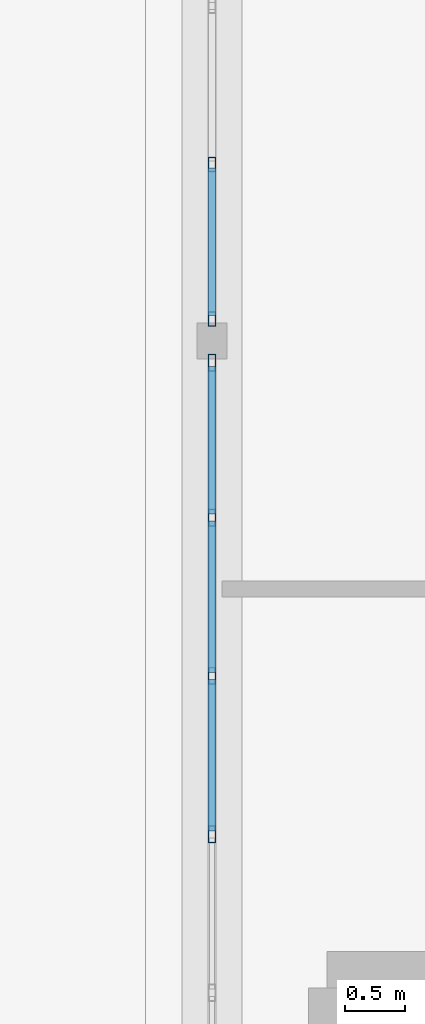
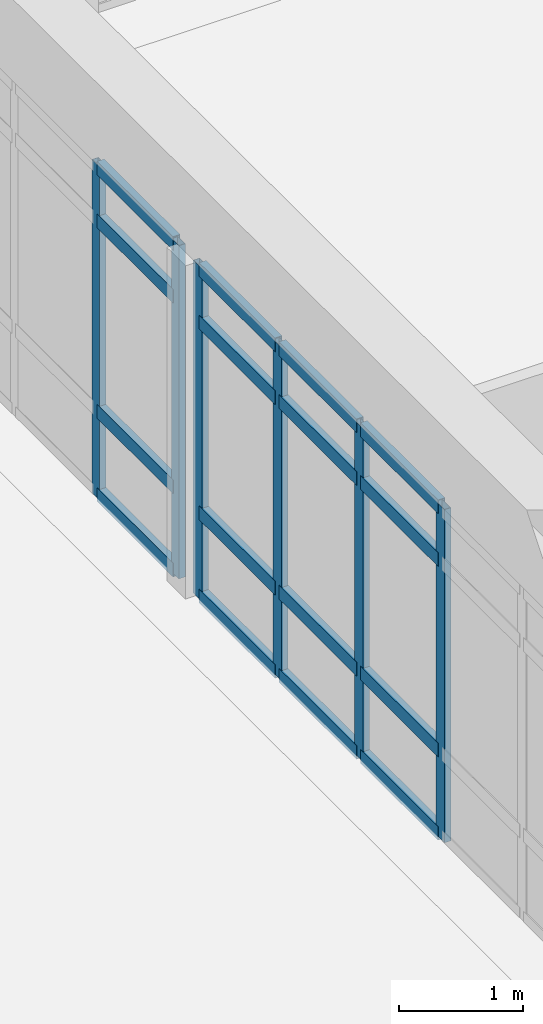
# One storey, part 41 of 109: 22 members, 2 elements without a shape of their own.
"""IFC4 building model written with IfcOpenShell, lengths in metres."""

from ifc_helpers import new_model, si_unit, direction, frame, origin, origin_2d, place, context, subcontext, project, spatial, hollow_rectangle, extrude, material, layer, layer_set, material_profile, profile_set, type_object, element, aggregate, save


model = new_model("IFC4")

# Units and contexts
model_context = context("Model", 3, precision=1e-05, world=origin(), true_north=direction((0.0, 1.0)))
body_context = subcontext(model_context, "Body", "Model", "MODEL_VIEW")
ifc_project = project(units=[si_unit("LENGTHUNIT", "METRE"), si_unit("AREAUNIT", "SQUARE_METRE"), si_unit("VOLUMEUNIT", "CUBIC_METRE"), si_unit("PLANEANGLEUNIT", "RADIAN"), si_unit("MASSUNIT", "GRAM", prefix="KILO")], contexts=[model_context])

# Site, building, storey
site_placement = place(None, origin())
site = spatial("IfcSite", under=ifc_project, at=site_placement, CompositionType="ELEMENT")
building_placement = place(site_placement, origin())
building = spatial("IfcBuilding", under=site, at=building_placement, Name="Fikremerkos Civic Library", CompositionType="ELEMENT")
storey_placement = place(building_placement, frame((0.0, 0.0, 5.39990234375)))
storey = spatial("IfcBuildingStorey", under=building, at=storey_placement, Name="L01", CompositionType="ELEMENT", Elevation=5.39990234375)

# Curtain wall, members
ifc_material = material(Name="Anodized aluminium Frame", Category="aluminium")
ifc_layer_1 = layer(ifc_material, 0.159912109375, Name="Anodized aluminium Frame")
ifc_layer_set_1 = layer_set([ifc_layer_1], Name="Anodized aluminium Frame")
curtain_wall_type_1 = type_object("IfcCurtainWallType", Name="Unitised curtain wall CW-03 4100x3600", PredefinedType="USERDEFINED", material=ifc_layer_set_1)
curtain_wall_1_placement = place(storey_placement, origin())
curtain_wall_1 = element("IfcCurtainWall", 1, at=curtain_wall_1_placement, inside=storey, type_object=curtain_wall_type_1, Name="Unitised curtain wall CW-03 L01 #129", ObjectType="UNITISED CURTAIN WALL", PredefinedType="USERDEFINED")
ifc_material_profile_1 = material_profile(ifc_material, hollow_rectangle(XDim=0.06005859375, YDim=0.139892578125, WallThickness=0.00390625, at=origin_2d()), Name="ALU 140x60x4")
ifc_profile_set_1 = profile_set([ifc_material_profile_1], Name="Anodized aluminium Frame")
member_type_1 = type_object("IfcMemberType", Name="Curtain mullion CWM-03 ALU 140x60x4", PredefinedType="MULLION", material=ifc_profile_set_1)
member_1_placement = place(storey_placement, frame((73.199951171875, 106.169921875, 0.0), z_axis=(0.0, 0.0, 1.0), x_axis=(-1.0, 0.0, 0.0)))
member_1 = element("IfcMember", 2, at=member_1_placement, type_object=member_type_1, Name="CW-03 mullion 3", PredefinedType="MULLION", context=body_context, shape_type="SweptSolid", body=[
    extrude(hollow_rectangle(XDim=0.06005859375, YDim=0.139892578125, WallThickness=0.00390625, at=origin_2d()), origin(), (0.0, 0.0, 1.0), 3.27001953125),
])
member_2_placement = place(storey_placement, frame((73.199951171875, 107.480224609375, 0.0), z_axis=(0.0, 0.0, 1.0), x_axis=(-1.0, 0.0, 0.0)))
member_2 = element("IfcMember", 3, at=member_2_placement, type_object=member_type_1, Name="CW-03 mullion 4", PredefinedType="MULLION", context=body_context, shape_type="SweptSolid", body=[
    extrude(hollow_rectangle(XDim=0.06005859375, YDim=0.139892578125, WallThickness=0.00390625, at=origin_2d()), origin(), (0.0, 0.0, 1.0), 3.27001953125),
])
member_3_placement = place(storey_placement, frame((73.199951171875, 108.790283203125, 0.0), z_axis=(0.0, 0.0, 1.0), x_axis=(-1.0, 0.0, 0.0)))
member_3 = element("IfcMember", 4, at=member_3_placement, type_object=member_type_1, Name="CW-03 mullion 5", PredefinedType="MULLION", context=body_context, shape_type="SweptSolid", body=[
    extrude(hollow_rectangle(XDim=0.06005859375, YDim=0.139892578125, WallThickness=0.00390625, at=origin_2d()), origin(), (0.0, 0.0, 1.0), 3.27001953125),
])
member_4_placement = place(storey_placement, frame((73.199951171875, 110.070556640625, 0.0), z_axis=(0.0, 0.0, 1.0), x_axis=(-1.0, 0.0, 0.0)))
member_4 = element("IfcMember", 5, at=member_4_placement, type_object=member_type_1, Name="CW-03 mullion 6", PredefinedType="MULLION", context=body_context, shape_type="SweptSolid", body=[
    extrude(hollow_rectangle(XDim=0.06005859375, YDim=0.139892578125, WallThickness=0.00390625, at=origin_2d()), origin(), (0.0, 0.0, 1.0), 3.27001953125),
])

ifc_layer_2 = layer(ifc_material, 0.159912109375, Name="Anodized aluminium Frame")
ifc_layer_set_2 = layer_set([ifc_layer_2], Name="Anodized aluminium Frame")
curtain_wall_type_2 = type_object("IfcCurtainWallType", Name="Unitised curtain wall CW-04 3400x3600", PredefinedType="USERDEFINED", material=ifc_layer_set_2)
curtain_wall_2_placement = place(storey_placement, origin())
curtain_wall_2 = element("IfcCurtainWall", 6, at=curtain_wall_2_placement, inside=storey, type_object=curtain_wall_type_2, Name="Unitised curtain wall CW-04 L01 #130", ObjectType="UNITISED CURTAIN WALL", PredefinedType="USERDEFINED")
ifc_material_profile_2 = material_profile(ifc_material, hollow_rectangle(XDim=0.06005859375, YDim=0.1201171875, WallThickness=0.00390625, at=origin_2d()), Name="ALU 120x60x4")
ifc_profile_set_2 = profile_set([ifc_material_profile_2], Name="Anodized aluminium Frame")
member_type_2 = type_object("IfcMemberType", Name="Curtain mullion CWM-04 ALU 120x60x4", PredefinedType="MULLION", material=ifc_profile_set_2)
member_5_placement = place(storey_placement, frame((73.199951171875, 110.4306640625, 0.0), z_axis=(0.0, 0.0, 1.0), x_axis=(-1.0, 0.0, 0.0)))
member_5 = element("IfcMember", 7, at=member_5_placement, type_object=member_type_2, Name="CW-04 mullion 1", PredefinedType="MULLION", context=body_context, shape_type="SweptSolid", body=[
    extrude(hollow_rectangle(XDim=0.06005859375, YDim=0.1201171875, WallThickness=0.00390625, at=origin_2d()), origin(), (0.0, 0.0, 1.0), 3.27001953125),
])
member_6_placement = place(storey_placement, frame((73.199951171875, 111.7109375, 0.0), z_axis=(0.0, 0.0, 1.0), x_axis=(-1.0, 0.0, 0.0)))
member_6 = element("IfcMember", 8, at=member_6_placement, type_object=member_type_2, Name="CW-04 mullion 2", PredefinedType="MULLION", context=body_context, shape_type="SweptSolid", body=[
    extrude(hollow_rectangle(XDim=0.06005859375, YDim=0.1201171875, WallThickness=0.00390625, at=origin_2d()), origin(), (0.0, 0.0, 1.0), 3.27001953125),
])

# Member
ifc_material_profile_3 = material_profile(ifc_material, hollow_rectangle(XDim=0.06494140625, YDim=0.135009765625, WallThickness=0.00439453125, at=origin_2d()), Name="ALU 135x65x4.5")
ifc_profile_set_3 = profile_set([ifc_material_profile_3], Name="Anodized aluminium Frame")
member_type_3 = type_object("IfcMemberType", Name="Curtain transom CWT-02 ALU 135x65x4.5", PredefinedType="USERDEFINED", material=ifc_profile_set_3)
member_7_placement = place(storey_placement, frame((73.199951171875, 106.199951171875, 0.03271484375), z_axis=(0.0, 1.0, 0.0), x_axis=(-1.0, 0.0, 0.0)))
member_7 = element("IfcMember", 9, at=member_7_placement, type_object=member_type_3, Name="CW-03 transom 3.1", ObjectType="TRANSOM", PredefinedType="USERDEFINED", context=body_context, shape_type="SweptSolid", body=[
    extrude(hollow_rectangle(XDim=0.06494140625, YDim=0.135009765625, WallThickness=0.00439453125, at=origin_2d()), origin(), (0.0, 0.0, 1.0), 1.250244140625),
])

member_8_placement = place(storey_placement, frame((73.199951171875, 106.199951171875, 0.85009765625), z_axis=(0.0, 1.0, 0.0), x_axis=(-1.0, 0.0, 0.0)))
member_8 = element("IfcMember", 10, at=member_8_placement, type_object=member_type_3, Name="CW-03 transom 3.2", ObjectType="TRANSOM", PredefinedType="USERDEFINED", context=body_context, shape_type="SweptSolid", body=[
    extrude(hollow_rectangle(XDim=0.06494140625, YDim=0.135009765625, WallThickness=0.00439453125, at=origin_2d()), origin(), (0.0, 0.0, 1.0), 1.250244140625),
])

member_9_placement = place(storey_placement, frame((73.199951171875, 106.199951171875, 2.72021484375), z_axis=(0.0, 1.0, 0.0), x_axis=(-1.0, 0.0, 0.0)))
member_9 = element("IfcMember", 11, at=member_9_placement, type_object=member_type_3, Name="CW-03 transom 3.3", ObjectType="TRANSOM", PredefinedType="USERDEFINED", context=body_context, shape_type="SweptSolid", body=[
    extrude(hollow_rectangle(XDim=0.06494140625, YDim=0.135009765625, WallThickness=0.00439453125, at=origin_2d()), origin(), (0.0, 0.0, 1.0), 1.250244140625),
])

member_10_placement = place(storey_placement, frame((73.199951171875, 106.199951171875, 3.237548828125), z_axis=(0.0, 1.0, 0.0), x_axis=(-1.0, 0.0, 0.0)))
member_10 = element("IfcMember", 12, at=member_10_placement, type_object=member_type_3, Name="CW-03 transom 3.4", ObjectType="TRANSOM", PredefinedType="USERDEFINED", context=body_context, shape_type="SweptSolid", body=[
    extrude(hollow_rectangle(XDim=0.06494140625, YDim=0.135009765625, WallThickness=0.00439453125, at=origin_2d()), origin(), (0.0, 0.0, 1.0), 1.250244140625),
])

member_11_placement = place(storey_placement, frame((73.199951171875, 107.51025390625, 0.03271484375), z_axis=(0.0, 1.0, 0.0), x_axis=(-1.0, 0.0, 0.0)))
member_11 = element("IfcMember", 13, at=member_11_placement, type_object=member_type_3, Name="CW-03 transom 4.1", ObjectType="TRANSOM", PredefinedType="USERDEFINED", context=body_context, shape_type="SweptSolid", body=[
    extrude(hollow_rectangle(XDim=0.06494140625, YDim=0.135009765625, WallThickness=0.00439453125, at=origin_2d()), origin(), (0.0, 0.0, 1.0), 1.250244140625),
])

member_12_placement = place(storey_placement, frame((73.199951171875, 107.51025390625, 0.85009765625), z_axis=(0.0, 1.0, 0.0), x_axis=(-1.0, 0.0, 0.0)))
member_12 = element("IfcMember", 14, at=member_12_placement, type_object=member_type_3, Name="CW-03 transom 4.2", ObjectType="TRANSOM", PredefinedType="USERDEFINED", context=body_context, shape_type="SweptSolid", body=[
    extrude(hollow_rectangle(XDim=0.06494140625, YDim=0.135009765625, WallThickness=0.00439453125, at=origin_2d()), origin(), (0.0, 0.0, 1.0), 1.250244140625),
])

member_13_placement = place(storey_placement, frame((73.199951171875, 107.51025390625, 2.72021484375), z_axis=(0.0, 1.0, 0.0), x_axis=(-1.0, 0.0, 0.0)))
member_13 = element("IfcMember", 15, at=member_13_placement, type_object=member_type_3, Name="CW-03 transom 4.3", ObjectType="TRANSOM", PredefinedType="USERDEFINED", context=body_context, shape_type="SweptSolid", body=[
    extrude(hollow_rectangle(XDim=0.06494140625, YDim=0.135009765625, WallThickness=0.00439453125, at=origin_2d()), origin(), (0.0, 0.0, 1.0), 1.250244140625),
])

member_14_placement = place(storey_placement, frame((73.199951171875, 107.51025390625, 3.237548828125), z_axis=(0.0, 1.0, 0.0), x_axis=(-1.0, 0.0, 0.0)))
member_14 = element("IfcMember", 16, at=member_14_placement, type_object=member_type_3, Name="CW-03 transom 4.4", ObjectType="TRANSOM", PredefinedType="USERDEFINED", context=body_context, shape_type="SweptSolid", body=[
    extrude(hollow_rectangle(XDim=0.06494140625, YDim=0.135009765625, WallThickness=0.00439453125, at=origin_2d()), origin(), (0.0, 0.0, 1.0), 1.250244140625),
])

member_15_placement = place(storey_placement, frame((73.199951171875, 108.8203125, 0.03271484375), z_axis=(0.0, 1.0, 0.0), x_axis=(-1.0, 0.0, 0.0)))
member_15 = element("IfcMember", 17, at=member_15_placement, type_object=member_type_3, Name="CW-03 transom 5.1", ObjectType="TRANSOM", PredefinedType="USERDEFINED", context=body_context, shape_type="SweptSolid", body=[
    extrude(hollow_rectangle(XDim=0.06494140625, YDim=0.135009765625, WallThickness=0.00439453125, at=origin_2d()), origin(), (0.0, 0.0, 1.0), 1.220458984375),
])

member_16_placement = place(storey_placement, frame((73.199951171875, 108.8203125, 0.85009765625), z_axis=(0.0, 1.0, 0.0), x_axis=(-1.0, 0.0, 0.0)))
member_16 = element("IfcMember", 18, at=member_16_placement, type_object=member_type_3, Name="CW-03 transom 5.2", ObjectType="TRANSOM", PredefinedType="USERDEFINED", context=body_context, shape_type="SweptSolid", body=[
    extrude(hollow_rectangle(XDim=0.06494140625, YDim=0.135009765625, WallThickness=0.00439453125, at=origin_2d()), origin(), (0.0, 0.0, 1.0), 1.220458984375),
])

member_17_placement = place(storey_placement, frame((73.199951171875, 108.8203125, 2.72021484375), z_axis=(0.0, 1.0, 0.0), x_axis=(-1.0, 0.0, 0.0)))
member_17 = element("IfcMember", 19, at=member_17_placement, type_object=member_type_3, Name="CW-03 transom 5.3", ObjectType="TRANSOM", PredefinedType="USERDEFINED", context=body_context, shape_type="SweptSolid", body=[
    extrude(hollow_rectangle(XDim=0.06494140625, YDim=0.135009765625, WallThickness=0.00439453125, at=origin_2d()), origin(), (0.0, 0.0, 1.0), 1.220458984375),
])

member_18_placement = place(storey_placement, frame((73.199951171875, 108.8203125, 3.237548828125), z_axis=(0.0, 1.0, 0.0), x_axis=(-1.0, 0.0, 0.0)))
member_18 = element("IfcMember", 20, at=member_18_placement, type_object=member_type_3, Name="CW-03 transom 5.4", ObjectType="TRANSOM", PredefinedType="USERDEFINED", context=body_context, shape_type="SweptSolid", body=[
    extrude(hollow_rectangle(XDim=0.06494140625, YDim=0.135009765625, WallThickness=0.00439453125, at=origin_2d()), origin(), (0.0, 0.0, 1.0), 1.220458984375),
])

aggregate(curtain_wall_1, [member_1, member_2, member_3, member_4, member_7, member_8, member_9, member_10, member_11, member_12, member_13, member_14, member_15, member_16, member_17, member_18])

member_19_placement = place(storey_placement, frame((73.199951171875, 110.460693359375, 0.03271484375), z_axis=(0.0, 1.0, 0.0), x_axis=(-1.0, 0.0, 0.0)))
member_19 = element("IfcMember", 21, at=member_19_placement, type_object=member_type_3, Name="CW-04 transom 1.1", ObjectType="TRANSOM", PredefinedType="USERDEFINED", context=body_context, shape_type="SweptSolid", body=[
    extrude(hollow_rectangle(XDim=0.06494140625, YDim=0.135009765625, WallThickness=0.00439453125, at=origin_2d()), origin(), (0.0, 0.0, 1.0), 1.22021484375),
])

member_20_placement = place(storey_placement, frame((73.199951171875, 110.460693359375, 0.85009765625), z_axis=(0.0, 1.0, 0.0), x_axis=(-1.0, 0.0, 0.0)))
member_20 = element("IfcMember", 22, at=member_20_placement, type_object=member_type_3, Name="CW-04 transom 1.2", ObjectType="TRANSOM", PredefinedType="USERDEFINED", context=body_context, shape_type="SweptSolid", body=[
    extrude(hollow_rectangle(XDim=0.06494140625, YDim=0.135009765625, WallThickness=0.00439453125, at=origin_2d()), origin(), (0.0, 0.0, 1.0), 1.22021484375),
])

member_21_placement = place(storey_placement, frame((73.199951171875, 110.460693359375, 2.72021484375), z_axis=(0.0, 1.0, 0.0), x_axis=(-1.0, 0.0, 0.0)))
member_21 = element("IfcMember", 23, at=member_21_placement, type_object=member_type_3, Name="CW-04 transom 1.3", ObjectType="TRANSOM", PredefinedType="USERDEFINED", context=body_context, shape_type="SweptSolid", body=[
    extrude(hollow_rectangle(XDim=0.06494140625, YDim=0.135009765625, WallThickness=0.00439453125, at=origin_2d()), origin(), (0.0, 0.0, 1.0), 1.22021484375),
])

member_22_placement = place(storey_placement, frame((73.199951171875, 110.460693359375, 3.237548828125), z_axis=(0.0, 1.0, 0.0), x_axis=(-1.0, 0.0, 0.0)))
member_22 = element("IfcMember", 24, at=member_22_placement, type_object=member_type_3, Name="CW-04 transom 1.4", ObjectType="TRANSOM", PredefinedType="USERDEFINED", context=body_context, shape_type="SweptSolid", body=[
    extrude(hollow_rectangle(XDim=0.06494140625, YDim=0.135009765625, WallThickness=0.00439453125, at=origin_2d()), origin(), (0.0, 0.0, 1.0), 1.22021484375),
])

aggregate(curtain_wall_2, [member_5, member_6, member_19, member_20, member_21, member_22])

save(model, "model.ifc")
